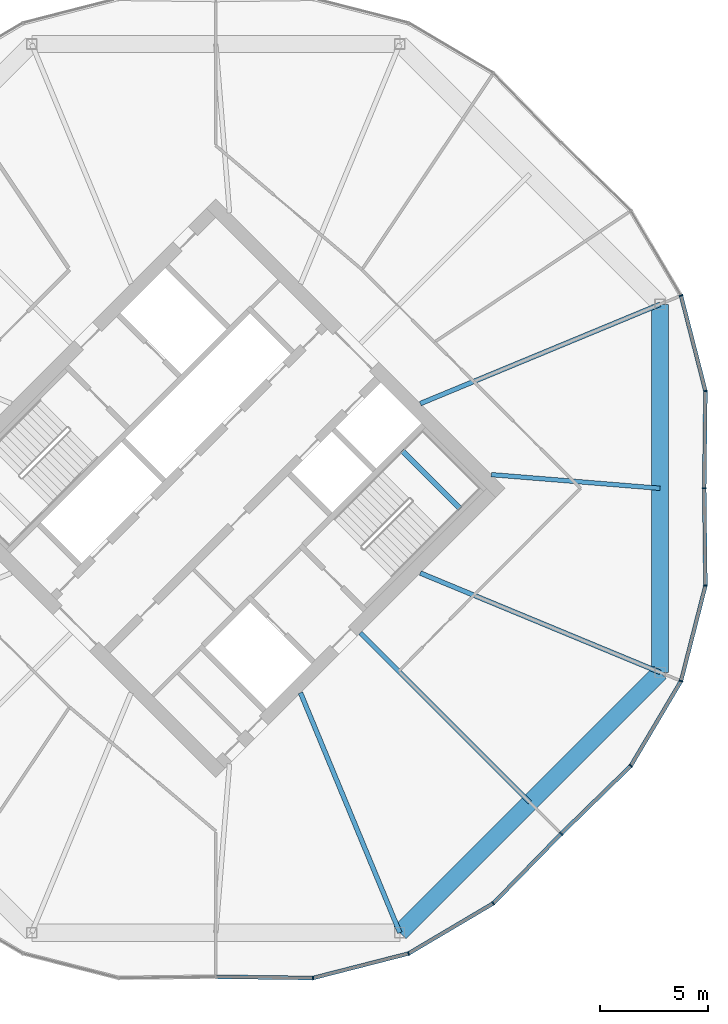
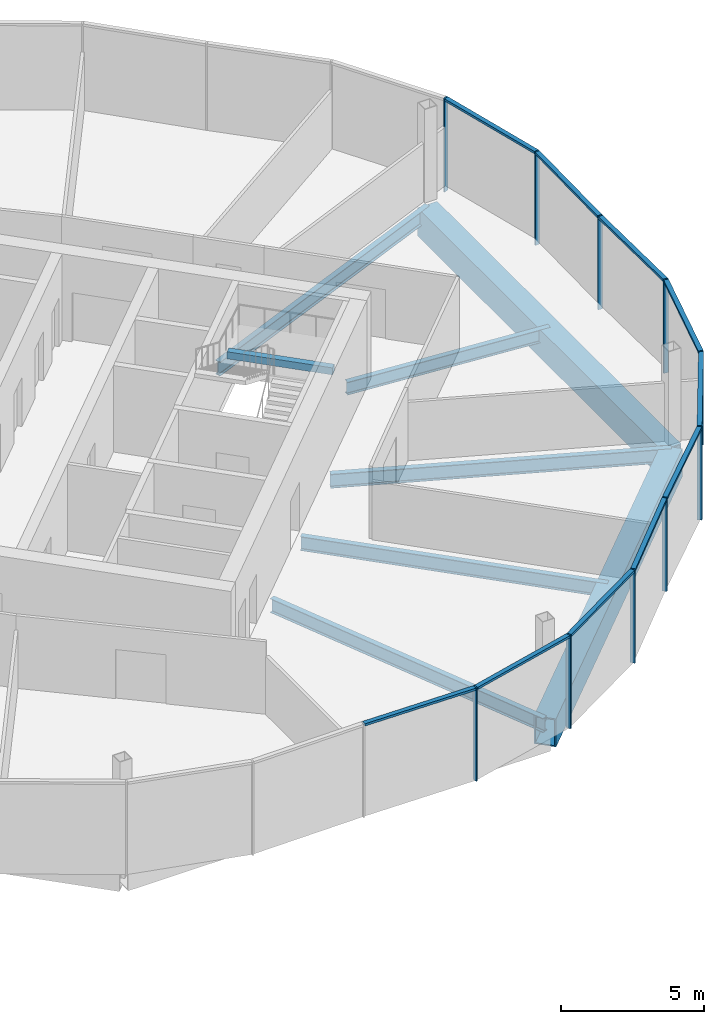
# One storey, part 14 of 25: 20 members, 8 beams, 3 elements without a shape of their own.
"""IFC4 building model written with IfcOpenShell, lengths in metres."""

from ifc_helpers import new_model, si_unit, direction, frame, origin, origin_2d, place, context, subcontext, project, spatial, rectangle, hollow_rectangle, i_section, extrude, material, material_profile, profile_set, type_object, element, aggregate, save


model = new_model("IFC4")

# Units and contexts
model_context = context("Model", 3, precision=1e-05, world=origin(), true_north=direction((0.0, 1.0)))
body_context = subcontext(model_context, "Body", "Model", "MODEL_VIEW")
ifc_project = project(units=[si_unit("LENGTHUNIT", "METRE"), si_unit("AREAUNIT", "SQUARE_METRE"), si_unit("VOLUMEUNIT", "CUBIC_METRE"), si_unit("PLANEANGLEUNIT", "RADIAN"), si_unit("MASSUNIT", "GRAM", prefix="KILO")], contexts=[model_context])

# Site, building, storey
site_placement = place(None, origin())
site = spatial("IfcSite", under=ifc_project, at=site_placement, CompositionType="ELEMENT")
building_placement = place(site_placement, origin())
building = spatial("IfcBuilding", under=site, at=building_placement, Name="Ogive Gate Towers", CompositionType="ELEMENT")
storey_placement = place(building_placement, frame((0.0, 0.0, 144.800048828125)))
storey = spatial("IfcBuildingStorey", under=building, at=storey_placement, Name="L34", CompositionType="ELEMENT", Elevation=144.800048828125)

# Beams
ifc_material_1 = material(Name="Steel SM460", Category="steel")
ifc_material_profile_1 = material_profile(ifc_material_1, hollow_rectangle(XDim=0.800048828125, YDim=1.199951171875, WallThickness=0.050048828125, at=origin_2d()), Name="BX 1200x800x50")
ifc_profile_set_1 = profile_set([ifc_material_profile_1], Name="Steel SM460")
beam_type_1 = type_object("IfcBeamType", Name="Edge girder BX 1200x800x50", PredefinedType="BEAM", material=ifc_profile_set_1)
beam_1_placement = place(storey_placement, frame((44.549072265625, -20.639404296875, -0.900146484375), z_axis=(0.707106781187, 0.707106781187, 0.0), x_axis=(-0.707106781187, 0.707106781187, 0.0)))
element("IfcBeam", 1, at=beam_1_placement, inside=storey, type_object=beam_type_1, Name="T2/L34/SBM019", PredefinedType="BEAM", context=body_context, shape_type="SweptSolid", body=[
    extrude(hollow_rectangle(XDim=0.800048828125, YDim=1.199951171875, WallThickness=0.050048828125, at=origin_2d()), origin(), (0.0, 0.0, 1.0), 17.098388671875),
])
beam_2_placement = place(storey_placement, frame((56.639404296875, -8.549072265625, -0.900146484375), z_axis=(0.0, 1.0, 0.0), x_axis=(-1.0, 0.0, 0.0)))
element("IfcBeam", 2, at=beam_2_placement, inside=storey, type_object=beam_type_1, Name="T2/L34/SBM020", PredefinedType="BEAM", context=body_context, shape_type="SweptSolid", body=[
    extrude(hollow_rectangle(XDim=0.800048828125, YDim=1.199951171875, WallThickness=0.050048828125, at=origin_2d()), origin(), (0.0, 0.0, 1.0), 17.09814453125),
])
ifc_material_2 = material(Name="Concrete C40/50", Category="concrete")
ifc_material_profile_2 = material_profile(ifc_material_2, rectangle(XDim=0.25, YDim=0.300048828125, at=origin_2d()), Name="RC 250x300")
ifc_profile_set_2 = profile_set([ifc_material_profile_2], Name="Concrete C40/50")
beam_type_2 = type_object("IfcBeamType", Name="Landing bearer RC 250x300", PredefinedType="BEAM", material=ifc_profile_set_2)
beam_3_placement = place(storey_placement, frame((47.35888671875, -0.94482421875, 1.64990234375), z_axis=(-0.707138693938, 0.707074866995, 0.0), x_axis=(-0.707074866995, -0.707138693938, 0.0)))
element("IfcBeam", 3, at=beam_3_placement, inside=storey, type_object=beam_type_2, Name="T2 L34 stair 2 landing bearer 1", PredefinedType="BEAM", context=body_context, shape_type="SweptSolid", body=[
    extrude(rectangle(XDim=0.25, YDim=0.300048828125, at=origin_2d()), origin(), (0.0, 0.0, 1.0), 3.824951171875),
])
ifc_material_3 = material(Name="Steel SM355", Category="steel")
ifc_material_profile_3 = material_profile(ifc_material_3, i_section(OverallWidth=0.2099609375, OverallDepth=0.550048828125, WebThickness=0.010986328125, FlangeThickness=0.01708984375, FilletRadius=0.02392578125, at=origin_2d()), Name="IPE 550")
ifc_profile_set_3 = profile_set([ifc_material_profile_3], Name="Steel SM355")
beam_type_3 = type_object("IfcBeamType", Name="Radial floor beam IPE 550", PredefinedType="BEAM", material=ifc_profile_set_3)
beam_4_placement = place(storey_placement, frame((48.798583984375, 0.636474609375, -0.574951171875), z_axis=(0.996721544062, -0.080908365468, 0.0), x_axis=(0.080908365468, 0.996721544062, 0.0)))
element("IfcBeam", 4, at=beam_4_placement, inside=storey, type_object=beam_type_3, Name="T2/L34/SBM008", PredefinedType="BEAM", context=body_context, shape_type="SweptSolid", body=[
    extrude(i_section(OverallWidth=0.2099609375, OverallDepth=0.550048828125, WebThickness=0.010986328125, FlangeThickness=0.01708984375, FilletRadius=0.02392578125, at=origin_2d()), origin(), (0.0, 0.0, 1.0), 7.86669921875),
])
ifc_material_profile_4 = material_profile(ifc_material_3, i_section(OverallWidth=0.219970703125, OverallDepth=0.60009765625, WebThickness=0.011962890625, FlangeThickness=0.01904296875, FilletRadius=0.02392578125, at=origin_2d()), Name="IPE 600")
ifc_profile_set_4 = profile_set([ifc_material_profile_4], Name="Steel SM355")
beam_type_4 = type_object("IfcBeamType", Name="Radial floor beam IPE 600", PredefinedType="BEAM", material=ifc_profile_set_4)
beam_5_placement = place(storey_placement, frame((39.93505859375, -9.5, -0.60009765625), z_axis=(0.382677863518, -0.923881839184, 0.0), x_axis=(0.923881839184, 0.382677863518, 0.0)))
element("IfcBeam", 5, at=beam_5_placement, inside=storey, type_object=beam_type_4, Name="T2/L34/SBM005", PredefinedType="BEAM", context=body_context, shape_type="SweptSolid", body=[
    extrude(i_section(OverallWidth=0.219970703125, OverallDepth=0.60009765625, WebThickness=0.011962890625, FlangeThickness=0.01904296875, FilletRadius=0.02392578125, at=origin_2d()), origin(), (0.0, 0.0, 1.0), 12.05712890625),
])
beam_6_placement = place(storey_placement, frame((42.717529296875, -6.717529296875, -0.60009765625), z_axis=(0.707106781187, -0.707106781187, 0.0), x_axis=(0.707106781187, 0.707106781187, 0.0)))
element("IfcBeam", 6, at=beam_6_placement, inside=storey, type_object=beam_type_4, Name="T2/L34/SBM006", PredefinedType="BEAM", context=body_context, shape_type="SweptSolid", body=[
    extrude(i_section(OverallWidth=0.219970703125, OverallDepth=0.60009765625, WebThickness=0.011962890625, FlangeThickness=0.01904296875, FilletRadius=0.02392578125, at=origin_2d()), origin(), (0.0, 0.0, 1.0), 11.139404296875),
])
for number, where, z_axis, x_axis, name in (
    (7, (45.5, -3.93505859375, -0.60009765625), (0.923881839184, -0.382677863518, 0.0), (0.382677863518, 0.923881839184, 0.0), "T2/L34/SBM007"),
    (8, (45.5, 3.93505859375, -0.60009765625), (0.923881839184, 0.382677863518, 0.0), (-0.382677863518, 0.923881839184, 0.0), "T2/L34/SBM009"),
):
    element("IfcBeam", number, at=place(storey_placement, frame(where, z_axis=z_axis, x_axis=x_axis)), inside=storey, type_object=beam_type_4, Name=name, PredefinedType="BEAM", context=body_context, shape_type="SweptSolid", body=[
        extrude(i_section(OverallWidth=0.219970703125, OverallDepth=0.60009765625, WebThickness=0.011962890625, FlangeThickness=0.01904296875, FilletRadius=0.02392578125, at=origin_2d()), origin(), (0.0, 0.0, 1.0), 12.05712890625),
    ])

# Curtain wall, members
ifc_material_4 = material(Name="Pale metal aluminium", Category="aluminium")
curtain_wall_type = type_object("IfcCurtainWallType", Name="Tower unitised wall, high zone", PredefinedType="NOTDEFINED", material=ifc_material_4)
curtain_wall_1_placement = place(storey_placement, origin())
curtain_wall_1 = element("IfcCurtainWall", 9, at=curtain_wall_1_placement, inside=storey, type_object=curtain_wall_type, Name="CW2 T2 ECW01", PredefinedType="NOTDEFINED")
ifc_material_profile_5 = material_profile(ifc_material_4, rectangle(XDim=0.179931640625, YDim=0.06005859375, at=origin_2d()), Name="60 x 180 aluminium box")
ifc_profile_set_5 = profile_set([ifc_material_profile_5], Name="Pale metal aluminium")
member_type_1 = type_object("IfcMemberType", Name="Tower unitised wall, high zone mullion 60 x 180", PredefinedType="MULLION", material=ifc_profile_set_5)
member_1_placement = place(storey_placement, frame((58.68994140625, 0.0, -0.300048828125), z_axis=(0.0, 0.0, 1.0), x_axis=(0.999922354634, -0.012461328328, 0.0)))
member_1 = element("IfcMember", 10, at=member_1_placement, type_object=member_type_1, Name="CW2 mullion", PredefinedType="MULLION", context=body_context, shape_type="SweptSolid", body=[
    extrude(rectangle(XDim=0.179931640625, YDim=0.06005859375, at=origin_2d()), origin(), (0.0, 0.0, 1.0), 4.0),
])
member_2_placement = place(storey_placement, frame((58.746337890625, 4.517333984375, -0.300048828125), z_axis=(0.0, 0.0, 1.0), x_axis=(0.992907526444, 0.118889208638, 0.0)))
member_2 = element("IfcMember", 11, at=member_2_placement, type_object=member_type_1, Name="CW2 mullion", PredefinedType="MULLION", context=body_context, shape_type="SweptSolid", body=[
    extrude(rectangle(XDim=0.179931640625, YDim=0.06005859375, at=origin_2d()), origin(), (0.0, 0.0, 1.0), 4.0),
])
member_3_placement = place(storey_placement, frame((57.610595703125, 8.951416015625, -0.300048828125), z_axis=(0.0, 0.0, 1.0), x_axis=(0.923879532511, 0.382683432365, 0.0)))
member_3 = element("IfcMember", 12, at=member_3_placement, type_object=member_type_1, Name="CW2 mullion", PredefinedType="MULLION", context=body_context, shape_type="SweptSolid", body=[
    extrude(rectangle(XDim=0.179931640625, YDim=0.06005859375, at=origin_2d()), origin(), (0.0, 0.0, 1.0), 4.0),
])

curtain_wall_2_placement = place(storey_placement, origin())
curtain_wall_2 = element("IfcCurtainWall", 13, at=curtain_wall_2_placement, inside=storey, type_object=curtain_wall_type, Name="CW2 T2 ECW07", PredefinedType="NOTDEFINED")
member_4_placement = place(storey_placement, frame((40.517333984375, -22.746337890625, -0.300048828125), z_axis=(0.0, 0.0, 1.0), x_axis=(0.118889208638, -0.992907526444, 0.0)))
member_4 = element("IfcMember", 14, at=member_4_placement, type_object=member_type_1, Name="CW2 mullion", PredefinedType="MULLION", context=body_context, shape_type="SweptSolid", body=[
    extrude(rectangle(XDim=0.179931640625, YDim=0.06005859375, at=origin_2d()), origin(), (0.0, 0.0, 1.0), 4.0),
])
member_5_placement = place(storey_placement, frame((44.951416015625, -21.610595703125, -0.300048828125), z_axis=(0.0, 0.0, 1.0), x_axis=(0.382683432365, -0.923879532511, 0.0)))
member_5 = element("IfcMember", 15, at=member_5_placement, type_object=member_type_1, Name="CW2 mullion", PredefinedType="MULLION", context=body_context, shape_type="SweptSolid", body=[
    extrude(rectangle(XDim=0.179931640625, YDim=0.06005859375, at=origin_2d()), origin(), (0.0, 0.0, 1.0), 4.0),
])
member_6_placement = place(storey_placement, frame((48.889892578125, -19.2783203125, -0.300048828125), z_axis=(0.0, 0.0, 1.0), x_axis=(0.618038000371, -0.786148223999, 0.0)))
member_6 = element("IfcMember", 16, at=member_6_placement, type_object=member_type_1, Name="CW2 mullion", PredefinedType="MULLION", context=body_context, shape_type="SweptSolid", body=[
    extrude(rectangle(XDim=0.179931640625, YDim=0.06005859375, at=origin_2d()), origin(), (0.0, 0.0, 1.0), 4.0),
])
member_7_placement = place(storey_placement, frame((52.044189453125, -16.044189453125, -0.300048828125), z_axis=(0.0, 0.0, 1.0), x_axis=(0.715863367385, -0.698240387858, 0.0)))
member_7 = element("IfcMember", 17, at=member_7_placement, type_object=member_type_1, Name="CW2 mullion", PredefinedType="MULLION", context=body_context, shape_type="SweptSolid", body=[
    extrude(rectangle(XDim=0.179931640625, YDim=0.06005859375, at=origin_2d()), origin(), (0.0, 0.0, 1.0), 4.0),
])

curtain_wall_3_placement = place(storey_placement, origin())
curtain_wall_3 = element("IfcCurtainWall", 18, at=curtain_wall_3_placement, inside=storey, type_object=curtain_wall_type, Name="CW2 T2 ECW08", PredefinedType="NOTDEFINED")
member_8_placement = place(storey_placement, frame((55.2783203125, -12.889892578125, -0.300048828125), z_axis=(0.0, 0.0, 1.0), x_axis=(0.786148223999, -0.618038000371, 0.0)))
member_8 = element("IfcMember", 19, at=member_8_placement, type_object=member_type_1, Name="CW2 mullion", PredefinedType="MULLION", context=body_context, shape_type="SweptSolid", body=[
    extrude(rectangle(XDim=0.179931640625, YDim=0.06005859375, at=origin_2d()), origin(), (0.0, 0.0, 1.0), 4.0),
])
member_9_placement = place(storey_placement, frame((57.610595703125, -8.951416015625, -0.300048828125), z_axis=(0.0, 0.0, 1.0), x_axis=(0.923879532511, -0.382683432365, 0.0)))
member_9 = element("IfcMember", 20, at=member_9_placement, type_object=member_type_1, Name="CW2 mullion", PredefinedType="MULLION", context=body_context, shape_type="SweptSolid", body=[
    extrude(rectangle(XDim=0.179931640625, YDim=0.06005859375, at=origin_2d()), origin(), (0.0, 0.0, 1.0), 4.0),
])
member_10_placement = place(storey_placement, frame((58.746337890625, -4.517333984375, -0.300048828125), z_axis=(0.0, 0.0, 1.0), x_axis=(0.992907526444, -0.118889208638, 0.0)))
member_10 = element("IfcMember", 21, at=member_10_placement, type_object=member_type_1, Name="CW2 mullion", PredefinedType="MULLION", context=body_context, shape_type="SweptSolid", body=[
    extrude(rectangle(XDim=0.179931640625, YDim=0.06005859375, at=origin_2d()), origin(), (0.0, 0.0, 1.0), 4.0),
])

# Member
ifc_material_profile_6 = material_profile(ifc_material_4, rectangle(XDim=0.179931640625, YDim=0.10009765625, at=origin_2d()), Name="100 x 180 aluminium box")
ifc_profile_set_6 = profile_set([ifc_material_profile_6], Name="Pale metal aluminium")
member_type_2 = type_object("IfcMemberType", Name="Tower unitised wall, high zone transom 100 x 180", PredefinedType="USERDEFINED", material=ifc_profile_set_6)
member_11_placement = place(storey_placement, frame((58.6904296875, 0.030029296875, 3.64990234375), z_axis=(0.012428542251, 0.999922762686, 0.0), x_axis=(-0.999922762686, 0.012428542251, 0.0)))
member_11 = element("IfcMember", 22, at=member_11_placement, type_object=member_type_2, Name="CW2 transom", ObjectType="TRANSOM", PredefinedType="USERDEFINED", context=body_context, shape_type="SweptSolid", body=[
    extrude(rectangle(XDim=0.179931640625, YDim=0.10009765625, at=origin_2d()), origin(), (0.0, 0.0, 1.0), 4.458984375),
])

member_12_placement = place(storey_placement, frame((58.7392578125, 4.545166015625, 3.64990234375), z_axis=(-0.248199905048, 0.968708835066, 0.0), x_axis=(-0.968708835066, -0.248199905048, 0.0)))
member_12 = element("IfcMember", 23, at=member_12_placement, type_object=member_type_2, Name="CW2 transom", ObjectType="TRANSOM", PredefinedType="USERDEFINED", context=body_context, shape_type="SweptSolid", body=[
    extrude(rectangle(XDim=0.179931640625, YDim=0.10009765625, at=origin_2d()), origin(), (0.0, 0.0, 1.0), 4.519775390625),
])

aggregate(curtain_wall_1, [member_1, member_2, member_11, member_3, member_12])

member_13_placement = place(storey_placement, frame((36.030029296875, -22.6904296875, 3.64990234375), z_axis=(0.999922762686, -0.012428542251, 0.0), x_axis=(0.012428542251, 0.999922762686, 0.0)))
member_13 = element("IfcMember", 24, at=member_13_placement, type_object=member_type_2, Name="CW2 transom", ObjectType="TRANSOM", PredefinedType="USERDEFINED", context=body_context, shape_type="SweptSolid", body=[
    extrude(rectangle(XDim=0.179931640625, YDim=0.10009765625, at=origin_2d()), origin(), (0.0, 0.0, 1.0), 4.458984375),
])

member_14_placement = place(storey_placement, frame((40.545166015625, -22.7392578125, 3.64990234375), z_axis=(0.968708835066, 0.248199905048, 0.0), x_axis=(-0.248199905048, 0.968708835066, 0.0)))
member_14 = element("IfcMember", 25, at=member_14_placement, type_object=member_type_2, Name="CW2 transom", ObjectType="TRANSOM", PredefinedType="USERDEFINED", context=body_context, shape_type="SweptSolid", body=[
    extrude(rectangle(XDim=0.179931640625, YDim=0.10009765625, at=origin_2d()), origin(), (0.0, 0.0, 1.0), 4.519775390625),
])

member_15_placement = place(storey_placement, frame((44.975830078125, -21.595703125, 3.64990234375), z_axis=(0.860480997661, 0.509482534209, 0.0), x_axis=(-0.509482534209, 0.860480997661, 0.0)))
member_15 = element("IfcMember", 26, at=member_15_placement, type_object=member_type_2, Name="CW2 transom", ObjectType="TRANSOM", PredefinedType="USERDEFINED", context=body_context, shape_type="SweptSolid", body=[
    extrude(rectangle(XDim=0.179931640625, YDim=0.10009765625, at=origin_2d()), origin(), (0.0, 0.0, 1.0), 4.519775390625),
])

member_16_placement = place(storey_placement, frame((48.909912109375, -19.2578125, 3.64990234375), z_axis=(0.698236265486, 0.71586738825, 0.0), x_axis=(-0.71586738825, 0.698236265486, 0.0)))
member_16 = element("IfcMember", 27, at=member_16_placement, type_object=member_type_2, Name="CW2 transom", ObjectType="TRANSOM", PredefinedType="USERDEFINED", context=body_context, shape_type="SweptSolid", body=[
    extrude(rectangle(XDim=0.179931640625, YDim=0.10009765625, at=origin_2d()), origin(), (0.0, 0.0, 1.0), 4.458740234375),
])

aggregate(curtain_wall_2, [member_4, member_13, member_5, member_14, member_6, member_15, member_7, member_16])

member_17_placement = place(storey_placement, frame((52.06591796875, -16.023193359375, 3.64990234375), z_axis=(0.71586738825, 0.698236265486, 0.0), x_axis=(-0.698236265486, 0.71586738825, 0.0)))
member_17 = element("IfcMember", 28, at=member_17_placement, type_object=member_type_2, Name="CW2 transom", ObjectType="TRANSOM", PredefinedType="USERDEFINED", context=body_context, shape_type="SweptSolid", body=[
    extrude(rectangle(XDim=0.179931640625, YDim=0.10009765625, at=origin_2d()), origin(), (0.0, 0.0, 1.0), 4.458740234375),
])

member_18_placement = place(storey_placement, frame((55.29296875, -12.864990234375, 3.64990234375), z_axis=(0.509482534209, 0.860480997661, 0.0), x_axis=(-0.860480997661, 0.509482534209, 0.0)))
member_18 = element("IfcMember", 29, at=member_18_placement, type_object=member_type_2, Name="CW2 transom", ObjectType="TRANSOM", PredefinedType="USERDEFINED", context=body_context, shape_type="SweptSolid", body=[
    extrude(rectangle(XDim=0.179931640625, YDim=0.10009765625, at=origin_2d()), origin(), (0.0, 0.0, 1.0), 4.519775390625),
])

member_19_placement = place(storey_placement, frame((57.617431640625, -8.923583984375, 3.64990234375), z_axis=(0.248199905048, 0.968708835066, 0.0), x_axis=(-0.968708835066, 0.248199905048, 0.0)))
member_19 = element("IfcMember", 30, at=member_19_placement, type_object=member_type_2, Name="CW2 transom", ObjectType="TRANSOM", PredefinedType="USERDEFINED", context=body_context, shape_type="SweptSolid", body=[
    extrude(rectangle(XDim=0.179931640625, YDim=0.10009765625, at=origin_2d()), origin(), (0.0, 0.0, 1.0), 4.519775390625),
])

member_20_placement = place(storey_placement, frame((58.745849609375, -4.48876953125, 3.64990234375), z_axis=(-0.012428542251, 0.999922762686, 0.0), x_axis=(-0.999922762686, -0.012428542251, 0.0)))
member_20 = element("IfcMember", 31, at=member_20_placement, type_object=member_type_2, Name="CW2 transom", ObjectType="TRANSOM", PredefinedType="USERDEFINED", context=body_context, shape_type="SweptSolid", body=[
    extrude(rectangle(XDim=0.179931640625, YDim=0.10009765625, at=origin_2d()), origin(), (0.0, 0.0, 1.0), 4.458984375),
])

aggregate(curtain_wall_3, [member_8, member_17, member_9, member_18, member_10, member_19, member_20])

save(model, "model.ifc")
